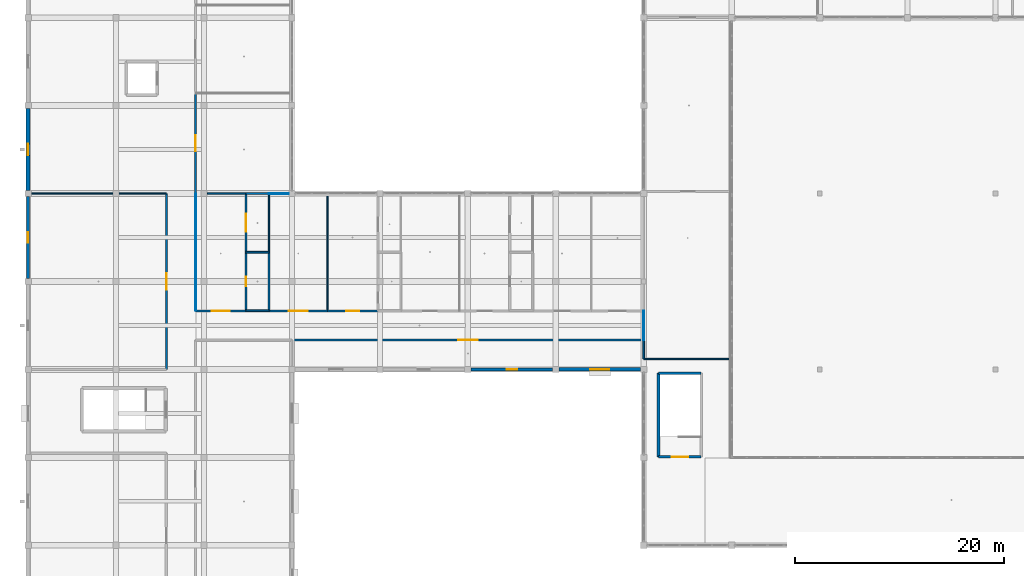
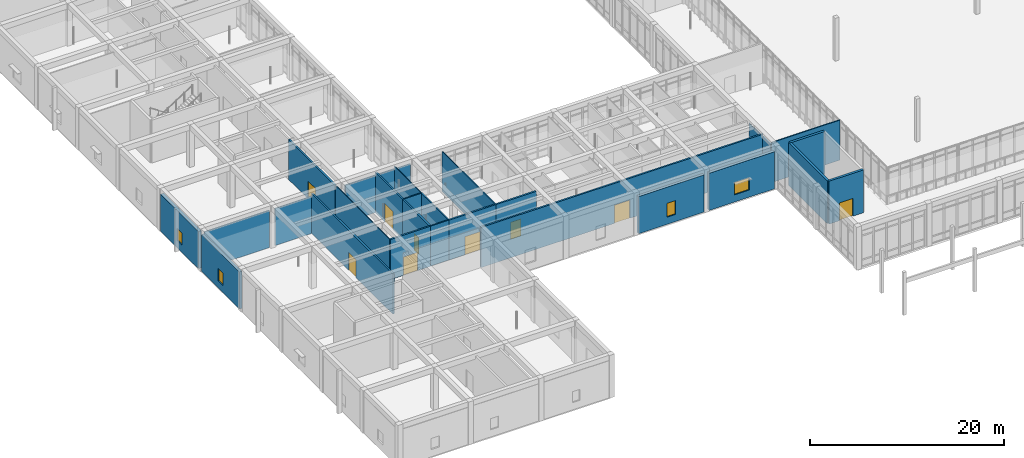
# One storey, part 76 of 157: 29 walls, 9 doors, 4 windows, 13 openings.
"""IFC4 building model written with IfcOpenShell, lengths in metres."""

from ifc_helpers import new_model, si_unit, direction, frame, frame_2d, origin, place, context, subcontext, project, spatial, rectangle, extrude, material, layer, layer_set, type_object, element, fill, save


model = new_model("IFC4")

# Units and contexts
model_context = context("Model", 3, precision=1e-05, world=origin(), true_north=direction((0.0, 1.0)))
body_context = subcontext(model_context, "Body", "Model", "MODEL_VIEW")
ifc_project = project(units=[si_unit("LENGTHUNIT", "METRE"), si_unit("AREAUNIT", "SQUARE_METRE"), si_unit("VOLUMEUNIT", "CUBIC_METRE"), si_unit("PLANEANGLEUNIT", "RADIAN"), si_unit("MASSUNIT", "GRAM", prefix="KILO")], contexts=[model_context])

# Site, building, storey
site_placement = place(None, origin())
site = spatial("IfcSite", under=ifc_project, at=site_placement, CompositionType="ELEMENT")
building_placement = place(site_placement, origin())
building = spatial("IfcBuilding", under=site, at=building_placement, Name="Varncliffe General Hospital", CompositionType="ELEMENT")
storey_placement = place(building_placement, frame((0.0, 0.0, 5.39990234375)))
storey = spatial("IfcBuildingStorey", under=building, at=storey_placement, Name="L01", CompositionType="ELEMENT", Elevation=5.39990234375)

# Wall, opening, window
ifc_material_1 = material(Name="Precast concrete C40/50 with insulated cream lime-cement stucco", Category="concrete")
ifc_layer_1 = layer(ifc_material_1, 0.31005859375)
ifc_layer_set_1 = layer_set([ifc_layer_1], Name="Precast concrete C40/50 with insulated cream lime-cement stucco")
wall_type_1 = type_object("IfcWallType", Name="Exterior Insulated Stucco Wall EW20 (310mm)", PredefinedType="SOLIDWALL", material=ifc_layer_set_1)
wall_1_placement = place(storey_placement, frame((50.10205078125, 24.0, 0.0), z_axis=(0.0, 0.0, 1.0), x_axis=(-1.0, 0.0, 0.0)))
wall_1 = element("IfcWall", 1, at=wall_1_placement, inside=storey, type_object=wall_type_1, Name="L01 Exterior Stucco Wall EW20-164", PredefinedType="SOLIDWALL", context=body_context, shape_type="SweptSolid", body=[
    extrude(rectangle(XDim=7.803955078125, YDim=0.31005859375, at=frame_2d((3.90185546875, 0.0))), origin(), (0.0, 0.0, 1.0), 4.68017578125),
])
opening_1_placement = place(wall_1_placement, frame((3.402099609375, 0.0, 0.89990234375)))
opening_1 = element("IfcOpeningElement", 2, at=opening_1_placement, cuts=wall_1, Name="Opening WN53", PredefinedType="OPENING", context=body_context, shape_type="SweptSolid", body=[
    extrude(rectangle(XDim=1.0, YDim=1.75, at=frame_2d((0.5, 0.875))), frame((0.0, 0.1650390625, 0.0), z_axis=(0.0, -1.0, 0.0), x_axis=(1.0, 0.0, 0.0)), (0.0, 0.0, 1.0), 0.330078125),
])
ifc_material_2 = material(Name="Triple low-E argon insulated vision glazing", Category="glass")
window_type_1 = type_object("IfcWindowType", Name="Triple-Glazed Hospital Window WN53 (1000x1750)", PartitioningType="SINGLE_PANEL", PredefinedType="WINDOW", material=ifc_material_2)
window_1_placement = place(opening_1_placement, origin())
window_1 = element("IfcWindow", 3, at=window_1_placement, inside=storey, type_object=window_type_1, Name="L01 Hospital Window WN53-103", OverallHeight=1.75, OverallWidth=1.0, PartitioningType="SINGLE_PANEL", PredefinedType="WINDOW", context=body_context, shape_type="SweptSolid", body=[
    extrude(rectangle(XDim=1.0, YDim=1.75, at=frame_2d((0.5, 0.875))), frame((0.0, 0.030029296875, 0.0), z_axis=(0.0, -1.0, 0.0), x_axis=(1.0, 0.0, 0.0)), (0.0, 0.0, 1.0), 0.06005859375),
])
fill(opening_1, window_1)

ifc_layer_2 = layer(ifc_material_1, 0.3798828125)
ifc_layer_set_2 = layer_set([ifc_layer_2], Name="Precast concrete C40/50 with insulated cream lime-cement stucco")
wall_type_2 = type_object("IfcWallType", Name="Exterior Insulated Stucco Wall EW26 (380mm)", PredefinedType="SOLIDWALL", material=ifc_layer_set_2)
wall_2_placement = place(storey_placement, frame((0.0, 41.097900390625, 0.0), z_axis=(0.0, 0.0, 1.0), x_axis=(0.0, 1.0, 0.0)))
wall_2 = element("IfcWall", 4, at=wall_2_placement, inside=storey, type_object=wall_type_2, Name="L01 Exterior Stucco Wall EW26-102", PredefinedType="SOLIDWALL", context=body_context, shape_type="SweptSolid", body=[
    extrude(rectangle(XDim=7.80419921875, YDim=0.3798828125, at=frame_2d((3.902099609375, 0.0))), origin(), (0.0, 0.0, 1.0), 4.68017578125),
])
opening_2_placement = place(wall_2_placement, frame((3.35205078125, 0.0, 0.89990234375)))
opening_2 = element("IfcOpeningElement", 5, at=opening_2_placement, cuts=wall_2, Name="Opening WN69", PredefinedType="OPENING", context=body_context, shape_type="SweptSolid", body=[
    extrude(rectangle(XDim=1.10009765625, YDim=1.550048828125, at=frame_2d((0.550048828125, 0.77490234375))), frame((0.0, 0.199951171875, 0.0), z_axis=(0.0, -1.0, 0.0), x_axis=(1.0, 0.0, 0.0)), (0.0, 0.0, 1.0), 0.39990234375),
])
window_type_2 = type_object("IfcWindowType", Name="Triple-Glazed Hospital Window WN69 (1100x1550)", PartitioningType="SINGLE_PANEL", PredefinedType="WINDOW", material=ifc_material_2)
window_2_placement = place(opening_2_placement, origin())
window_2 = element("IfcWindow", 6, at=window_2_placement, inside=storey, type_object=window_type_2, Name="L01 Hospital Window WN69-53", OverallHeight=1.550048828125, OverallWidth=1.10009765625, PartitioningType="SINGLE_PANEL", PredefinedType="WINDOW", context=body_context, shape_type="SweptSolid", body=[
    extrude(rectangle(XDim=1.10009765625, YDim=1.550048828125, at=frame_2d((0.550048828125, 0.77490234375))), frame((0.0, 0.030029296875, 0.0), z_axis=(0.0, -1.0, 0.0), x_axis=(1.0, 0.0, 0.0)), (0.0, 0.0, 1.0), 0.06005859375),
])
fill(opening_2, window_2)

ifc_layer_3 = layer(ifc_material_1, 0.2900390625)
ifc_layer_set_3 = layer_set([ifc_layer_3], Name="Precast concrete C40/50 with insulated cream lime-cement stucco")
wall_type_3 = type_object("IfcWallType", Name="Exterior Insulated Stucco Wall EW31 (290mm)", PredefinedType="SOLIDWALL", material=ifc_layer_set_3)
wall_3_placement = place(storey_placement, frame((0.0, 32.697998046875, 0.0), z_axis=(0.0, 0.0, 1.0), x_axis=(0.0, 1.0, 0.0)))
wall_3 = element("IfcWall", 7, at=wall_3_placement, inside=storey, type_object=wall_type_3, Name="L01 Exterior Stucco Wall EW31-101", PredefinedType="SOLIDWALL", context=body_context, shape_type="SweptSolid", body=[
    extrude(rectangle(XDim=7.803955078125, YDim=0.2900390625, at=frame_2d((3.90185546875, 0.0))), origin(), (0.0, 0.0, 1.0), 4.68017578125),
])
opening_3_placement = place(wall_3_placement, frame((3.402099609375, 0.0, 0.89990234375)))
opening_3 = element("IfcOpeningElement", 8, at=opening_3_placement, cuts=wall_3, Name="Opening WN21", PredefinedType="OPENING", context=body_context, shape_type="SweptSolid", body=[
    extrude(rectangle(XDim=1.0, YDim=1.550048828125, at=frame_2d((0.5, 0.77490234375))), frame((0.0, 0.155029296875, 0.0), z_axis=(0.0, -1.0, 0.0), x_axis=(1.0, 0.0, 0.0)), (0.0, 0.0, 1.0), 0.31005859375),
])
window_type_3 = type_object("IfcWindowType", Name="Triple-Glazed Hospital Window WN21 (1000x1550)", PartitioningType="SINGLE_PANEL", PredefinedType="WINDOW", material=ifc_material_2)
window_3_placement = place(opening_3_placement, origin())
window_3 = element("IfcWindow", 9, at=window_3_placement, inside=storey, type_object=window_type_3, Name="L01 Hospital Window WN21-52", OverallHeight=1.550048828125, OverallWidth=1.0, PartitioningType="SINGLE_PANEL", PredefinedType="WINDOW", context=body_context, shape_type="SweptSolid", body=[
    extrude(rectangle(XDim=1.0, YDim=1.550048828125, at=frame_2d((0.5, 0.77490234375))), frame((0.0, 0.030029296875, 0.0), z_axis=(0.0, -1.0, 0.0), x_axis=(1.0, 0.0, 0.0)), (0.0, 0.0, 1.0), 0.06005859375),
])
fill(opening_3, window_3)

ifc_layer_4 = layer(ifc_material_1, 0.330078125)
ifc_layer_set_4 = layer_set([ifc_layer_4], Name="Precast concrete C40/50 with insulated cream lime-cement stucco")
wall_type_4 = type_object("IfcWallType", Name="Exterior Insulated Stucco Wall EW33 (330mm)", PredefinedType="SOLIDWALL", material=ifc_layer_set_4)
wall_4_placement = place(storey_placement, frame((58.501953125, 24.0, 0.0), z_axis=(0.0, 0.0, 1.0), x_axis=(-1.0, 0.0, 0.0)))
wall_4 = element("IfcWall", 10, at=wall_4_placement, inside=storey, type_object=wall_type_4, Name="L01 Exterior Stucco Wall EW33-163", PredefinedType="SOLIDWALL", context=body_context, shape_type="SweptSolid", body=[
    extrude(rectangle(XDim=7.803955078125, YDim=0.330078125, at=frame_2d((3.90185546875, 0.0))), origin(), (0.0, 0.0, 1.0), 4.68017578125),
])
opening_4_placement = place(wall_4_placement, frame((3.001953125, 0.0, 0.89990234375)))
opening_4 = element("IfcOpeningElement", 11, at=opening_4_placement, cuts=wall_4, Name="Opening WN52", PredefinedType="OPENING", context=body_context, shape_type="SweptSolid", body=[
    extrude(rectangle(XDim=1.800048828125, YDim=1.550048828125, at=frame_2d((0.89990234375, 0.77490234375))), frame((0.0, 0.175048828125, 0.0), z_axis=(0.0, -1.0, 0.0), x_axis=(1.0, 0.0, 0.0)), (0.0, 0.0, 1.0), 0.35009765625),
])
window_type_4 = type_object("IfcWindowType", Name="Triple-Glazed Hospital Window WN52 (1800x1550)", PartitioningType="DOUBLE_PANEL_VERTICAL", PredefinedType="WINDOW", material=ifc_material_2)
window_4_placement = place(opening_4_placement, origin())
window_4 = element("IfcWindow", 12, at=window_4_placement, inside=storey, type_object=window_type_4, Name="L01 Hospital Window WN52-102", OverallHeight=1.550048828125, OverallWidth=1.800048828125, PartitioningType="DOUBLE_PANEL_VERTICAL", PredefinedType="WINDOW", context=body_context, shape_type="SweptSolid", body=[
    extrude(rectangle(XDim=1.800048828125, YDim=1.550048828125, at=frame_2d((0.89990234375, 0.77490234375))), frame((0.0, 0.030029296875, 0.0), z_axis=(0.0, -1.0, 0.0), x_axis=(1.0, 0.0, 0.0)), (0.0, 0.0, 1.0), 0.06005859375),
])
fill(opening_4, window_4)

# Walls
ifc_material_3 = material(Name="Acoustic clinical gypsum stud partition assembly", Category="gypsum")
ifc_layer_5 = layer(ifc_material_3, 0.1298828125)
ifc_layer_set_5 = layer_set([ifc_layer_5], Name="Acoustic clinical gypsum stud partition assembly")
wall_type_5 = type_object("IfcWallType", Name="Interior Partitioning IW11 (130mm)", PredefinedType="PARTITIONING", material=ifc_layer_set_5)
wall_5_placement = place(storey_placement, frame((58.800048828125, 25.0, 0.0), z_axis=(0.0, 0.0, 1.0), x_axis=(1.0, 0.0, 0.0)))
element("IfcWall", 13, at=wall_5_placement, inside=storey, type_object=wall_type_5, Name="L01 Interior Partition Wall IW11-433", PredefinedType="PARTITIONING", context=body_context, shape_type="SweptSolid", body=[
    extrude(rectangle(XDim=8.139892578125, YDim=0.1298828125, at=frame_2d((4.06982421875, 0.0))), origin(), (0.0, 0.0, 1.0), 5.050048828125),
])
ifc_layer_6 = layer(ifc_material_3, 0.169921875)
ifc_layer_set_6 = layer_set([ifc_layer_6], Name="Acoustic clinical gypsum stud partition assembly")
wall_type_6 = type_object("IfcWallType", Name="Interior Partitioning IW20 (170mm)", PredefinedType="PARTITIONING", material=ifc_layer_set_6)
wall_6_placement = place(storey_placement, frame((20.800048828125, 40.800048828125, 0.0), z_axis=(0.0, 0.0, 1.0), x_axis=(1.0, 0.0, 0.0)))
element("IfcWall", 14, at=wall_6_placement, inside=storey, type_object=wall_type_6, Name="L01 Interior Partition Wall IW20-465", PredefinedType="PARTITIONING", context=body_context, shape_type="SweptSolid", body=[
    extrude(rectangle(XDim=2.199951171875, YDim=0.169921875, at=frame_2d((1.10009765625, 0.0))), origin(), (0.0, 0.0, 1.0), 4.68505859375),
])
wall_7_placement = place(storey_placement, frame((58.800048828125, 25.0, 0.0), z_axis=(0.0, 0.0, 1.0), x_axis=(0.0, 1.0, 0.0)))
element("IfcWall", 15, at=wall_7_placement, inside=storey, type_object=wall_type_6, Name="L01 Interior Partition Wall IW20-745", PredefinedType="PARTITIONING", context=body_context, shape_type="SweptSolid", body=[
    extrude(rectangle(XDim=1.800048828125, YDim=0.169921875, at=frame_2d((0.89990234375, 0.0))), origin(), (0.0, 0.0, 1.0), 4.735107421875),
])
ifc_layer_7 = layer(ifc_material_3, 0.14990234375)
ifc_layer_set_7 = layer_set([ifc_layer_7], Name="Acoustic clinical gypsum stud partition assembly")
wall_type_7 = type_object("IfcWallType", Name="Interior Partitioning IW35 (150mm)", PredefinedType="PARTITIONING", material=ifc_layer_set_7)
wall_8_placement = place(storey_placement, frame((17.114990234375, 40.800048828125, 0.0), z_axis=(0.0, 0.0, 1.0), x_axis=(1.0, 0.0, 0.0)))
element("IfcWall", 16, at=wall_8_placement, inside=storey, type_object=wall_type_7, Name="L01 Interior Partition Wall IW35-464", PredefinedType="PARTITIONING", context=body_context, shape_type="SweptSolid", body=[
    extrude(rectangle(XDim=3.68505859375, YDim=0.14990234375, at=frame_2d((1.842529296875, 0.0))), origin(), (0.0, 0.0, 1.0), 4.68505859375),
])
ifc_layer_8 = layer(ifc_material_3, 0.090087890625)
ifc_layer_set_8 = layer_set([ifc_layer_8], Name="Acoustic clinical gypsum stud partition assembly")
wall_type_8 = type_object("IfcWallType", Name="Interior Partitioning IW42 (90mm)", PredefinedType="PARTITIONING", material=ifc_layer_set_8)
wall_9_placement = place(storey_placement, frame((23.0, 40.800048828125, 0.0), z_axis=(0.0, 0.0, 1.0), x_axis=(1.0, 0.0, 0.0)))
element("IfcWall", 17, at=wall_9_placement, inside=storey, type_object=wall_type_8, Name="L01 Interior Partition Wall IW42-466", PredefinedType="PARTITIONING", context=body_context, shape_type="SweptSolid", body=[
    extrude(rectangle(XDim=1.885009765625, YDim=0.090087890625, at=frame_2d((0.9423828125, 0.0))), origin(), (0.0, 0.0, 1.0), 4.68505859375),
])
wall_10_placement = place(storey_placement, frame((16.0, 29.60009765625, 0.0), z_axis=(0.0, 0.0, 1.0), x_axis=(0.0, 1.0, 0.0)))
element("IfcWall", 18, at=wall_10_placement, inside=storey, type_object=wall_type_8, Name="L01 Interior Partition Wall IW42-686", PredefinedType="PARTITIONING", context=body_context, shape_type="SweptSolid", body=[
    extrude(rectangle(XDim=11.199951171875, YDim=0.090087890625, at=frame_2d((5.60009765625, 0.0))), origin(), (0.0, 0.0, 1.0), 5.050048828125),
])
wall_11_placement = place(storey_placement, frame((58.800048828125, 26.800048828125, 0.0), z_axis=(0.0, 0.0, 1.0), x_axis=(0.0, 1.0, 0.0)))
element("IfcWall", 19, at=wall_11_placement, inside=storey, type_object=wall_type_8, Name="L01 Interior Partition Wall IW42-746", PredefinedType="PARTITIONING", context=body_context, shape_type="SweptSolid", body=[
    extrude(rectangle(XDim=2.800048828125, YDim=0.090087890625, at=frame_2d((1.39990234375, 0.0))), origin(), (0.0, 0.0, 1.0), 4.735107421875),
])
ifc_layer_9 = layer(ifc_material_3, 0.110107421875)
ifc_layer_set_9 = layer_set([ifc_layer_9], Name="Acoustic clinical gypsum stud partition assembly")
wall_type_9 = type_object("IfcWallType", Name="Interior Partitioning IW65 (110mm)", PredefinedType="PARTITIONING", material=ifc_layer_set_9)
wall_12_placement = place(storey_placement, frame((0.31494140625, 40.800048828125, 0.0), z_axis=(0.0, 0.0, 1.0), x_axis=(1.0, 0.0, 0.0)))
element("IfcWall", 20, at=wall_12_placement, inside=storey, type_object=wall_type_9, Name="L01 Interior Partition Wall IW65-462", PredefinedType="PARTITIONING", context=body_context, shape_type="SweptSolid", body=[
    extrude(rectangle(XDim=7.77001953125, YDim=0.110107421875, at=frame_2d((3.885009765625, 0.0))), origin(), (0.0, 0.0, 1.0), 4.68505859375),
])
wall_13_placement = place(storey_placement, frame((8.715087890625, 40.800048828125, 0.0), z_axis=(0.0, 0.0, 1.0), x_axis=(1.0, 0.0, 0.0)))
element("IfcWall", 21, at=wall_13_placement, inside=storey, type_object=wall_type_9, Name="L01 Interior Partition Wall IW65-463", PredefinedType="PARTITIONING", context=body_context, shape_type="SweptSolid", body=[
    extrude(rectangle(XDim=4.48486328125, YDim=0.110107421875, at=frame_2d((2.242431640625, 0.0))), origin(), (0.0, 0.0, 1.0), 4.68505859375),
])
wall_14_placement = place(storey_placement, frame((23.0, 35.199951171875, 0.0), z_axis=(0.0, 0.0, 1.0), x_axis=(0.0, 1.0, 0.0)))
element("IfcWall", 22, at=wall_14_placement, inside=storey, type_object=wall_type_9, Name="L01 Interior Partition Wall IW65-702", PredefinedType="PARTITIONING", context=body_context, shape_type="SweptSolid", body=[
    extrude(rectangle(XDim=5.60009765625, YDim=0.110107421875, at=frame_2d((2.800048828125, 0.0))), origin(), (0.0, 0.0, 1.0), 5.050048828125),
])
wall_15_placement = place(storey_placement, frame((28.60009765625, 29.60009765625, 0.0), z_axis=(0.0, 0.0, 1.0), x_axis=(0.0, 1.0, 0.0)))
element("IfcWall", 23, at=wall_15_placement, inside=storey, type_object=wall_type_9, Name="L01 Interior Partition Wall IW65-707", PredefinedType="PARTITIONING", context=body_context, shape_type="SweptSolid", body=[
    extrude(rectangle(XDim=10.93994140625, YDim=0.110107421875, at=frame_2d((5.469970703125, 0.0))), origin(), (0.0, 0.0, 1.0), 5.050048828125),
])

# Wall, opening, door
ifc_material_4 = material(Name="Fire-rated gypsum and mineral-wool partition assembly", Category="gypsum")
ifc_layer_10 = layer(ifc_material_4, 0.199951171875)
ifc_layer_set_10 = layer_set([ifc_layer_10], Name="Fire-rated gypsum and mineral-wool partition assembly")
wall_type_10 = type_object("IfcWallType", Name="Interior Partitioning PW63 (200mm)", PredefinedType="PARTITIONING", material=ifc_layer_set_10)
wall_16_placement = place(storey_placement, frame((25.199951171875, 26.800048828125, 0.0), z_axis=(0.0, 0.0, 1.0), x_axis=(1.0, 0.0, 0.0)))
wall_16 = element("IfcWall", 24, at=wall_16_placement, inside=storey, type_object=wall_type_10, Name="L01 Interior Partition Wall PW63-436", PredefinedType="PARTITIONING", context=body_context, shape_type="SweptSolid", body=[
    extrude(rectangle(XDim=33.60009765625, YDim=0.199951171875, at=frame_2d((16.800048828125, 0.0))), origin(), (0.0, 0.0, 1.0), 5.050048828125),
])
opening_5_placement = place(wall_16_placement, frame((15.875, 0.0, 0.0)))
opening_5 = element("IfcOpeningElement", 25, at=opening_5_placement, cuts=wall_16, Name="Opening DC38", PredefinedType="OPENING", context=body_context, shape_type="SweptSolid", body=[
    extrude(rectangle(XDim=1.85009765625, YDim=2.300048828125, at=frame_2d((0.925048828125, 1.14990234375))), frame((0.0, 0.10986328125, 0.0), z_axis=(0.0, -1.0, 0.0), x_axis=(1.0, 0.0, 0.0)), (0.0, 0.0, 1.0), 0.219970703125),
])
ifc_material_5 = material(Name="Fire-rated hospital steel-frame vision-panel door", Category="steel")
door_type_1 = type_object("IfcDoorType", Name="Interior Hospital Door DC38 (1850x2300)", OperationType="NOTDEFINED", PredefinedType="DOOR", material=ifc_material_5)
door_1_placement = place(opening_5_placement, frame((1.85009765625, 0.0, 0.0), z_axis=(0.0, 0.0, 1.0), x_axis=(-1.0, 0.0, 0.0)))
door_1 = element("IfcDoor", 26, at=door_1_placement, inside=storey, type_object=door_type_1, Name="L01 Observation Waiting and Family Suite Door", OperationType="SINGLE_SWING_RIGHT", OverallHeight=2.300048828125, OverallWidth=1.85009765625, PredefinedType="DOOR", context=body_context, shape_type="SweptSolid", body=[
    extrude(rectangle(XDim=1.85009765625, YDim=2.300048828125, at=frame_2d((0.925048828125, 1.14990234375))), frame((0.0, 0.02490234375, 0.0), z_axis=(0.0, -1.0, 0.0), x_axis=(1.0, 0.0, 0.0)), (0.0, 0.0, 1.0), 0.050048828125),
])
fill(opening_5, door_1)

wall_17_placement = place(storey_placement, frame((16.0, 29.60009765625, 0.0), z_axis=(0.0, 0.0, 1.0), x_axis=(1.0, 0.0, 0.0)))
wall_17 = element("IfcWall", 27, at=wall_17_placement, inside=storey, type_object=wall_type_10, Name="L01 Interior Partition Wall PW63-442", PredefinedType="PARTITIONING", context=body_context, shape_type="SweptSolid", body=[
    extrude(rectangle(XDim=4.800048828125, YDim=0.199951171875, at=frame_2d((2.39990234375, 0.0))), origin(), (0.0, 0.0, 1.0), 5.050048828125),
])
opening_6_placement = place(wall_17_placement, frame((1.550048828125, 0.0, 0.0)))
opening_6 = element("IfcOpeningElement", 28, at=opening_6_placement, cuts=wall_17, Name="Opening DC50", PredefinedType="OPENING", context=body_context, shape_type="SweptSolid", body=[
    extrude(rectangle(XDim=1.699951171875, YDim=2.300048828125, at=frame_2d((0.85009765625, 1.14990234375))), frame((0.0, 0.10986328125, 0.0), z_axis=(0.0, -1.0, 0.0), x_axis=(1.0, 0.0, 0.0)), (0.0, 0.0, 1.0), 0.219970703125),
])
door_type_2 = type_object("IfcDoorType", Name="Interior Hospital Door DC50 (1700x2300)", OperationType="NOTDEFINED", PredefinedType="DOOR", material=ifc_material_5)
door_2_placement = place(opening_6_placement, origin())
door_2 = element("IfcDoor", 29, at=door_2_placement, inside=storey, type_object=door_type_2, Name="L01 Rapid Clinical Observation Room 45 Door", OperationType="SINGLE_SWING_RIGHT", OverallHeight=2.300048828125, OverallWidth=1.699951171875, PredefinedType="DOOR", context=body_context, shape_type="SweptSolid", body=[
    extrude(rectangle(XDim=1.699951171875, YDim=2.300048828125, at=frame_2d((0.85009765625, 1.14990234375))), frame((0.0, 0.02490234375, 0.0), z_axis=(0.0, -1.0, 0.0), x_axis=(1.0, 0.0, 0.0)), (0.0, 0.0, 1.0), 0.050048828125),
])
fill(opening_6, door_2)

wall_18_placement = place(storey_placement, frame((23.0, 29.60009765625, 0.0), z_axis=(0.0, 0.0, 1.0), x_axis=(1.0, 0.0, 0.0)))
wall_18 = element("IfcWall", 30, at=wall_18_placement, inside=storey, type_object=wall_type_10, Name="L01 Interior Partition Wall PW63-444", PredefinedType="PARTITIONING", context=body_context, shape_type="SweptSolid", body=[
    extrude(rectangle(XDim=5.60009765625, YDim=0.199951171875, at=frame_2d((2.800048828125, 0.0))), origin(), (0.0, 0.0, 1.0), 5.050048828125),
])
opening_7_placement = place(wall_18_placement, frame((1.875, 0.0, 0.0)))
opening_7 = element("IfcOpeningElement", 31, at=opening_7_placement, cuts=wall_18, Name="Opening DC38", PredefinedType="OPENING", context=body_context, shape_type="SweptSolid", body=[
    extrude(rectangle(XDim=1.85009765625, YDim=2.300048828125, at=frame_2d((0.925048828125, 1.14990234375))), frame((0.0, 0.10986328125, 0.0), z_axis=(0.0, -1.0, 0.0), x_axis=(1.0, 0.0, 0.0)), (0.0, 0.0, 1.0), 0.219970703125),
])
door_3_placement = place(opening_7_placement, origin())
door_3 = element("IfcDoor", 32, at=door_3_placement, inside=storey, type_object=door_type_1, Name="L01 Emergency Short-Stay Treatment Bay 48 Door", OperationType="SINGLE_SWING_LEFT", OverallHeight=2.300048828125, OverallWidth=1.85009765625, PredefinedType="DOOR", context=body_context, shape_type="SweptSolid", body=[
    extrude(rectangle(XDim=1.85009765625, YDim=2.300048828125, at=frame_2d((0.925048828125, 1.14990234375))), frame((0.0, 0.02490234375, 0.0), z_axis=(0.0, -1.0, 0.0), x_axis=(1.0, 0.0, 0.0)), (0.0, 0.0, 1.0), 0.050048828125),
])
fill(opening_7, door_3)

wall_19_placement = place(storey_placement, frame((28.60009765625, 29.60009765625, 0.0), z_axis=(0.0, 0.0, 1.0), x_axis=(1.0, 0.0, 0.0)))
wall_19 = element("IfcWall", 33, at=wall_19_placement, inside=storey, type_object=wall_type_10, Name="L01 Interior Partition Wall PW63-445", PredefinedType="PARTITIONING", context=body_context, shape_type="SweptSolid", body=[
    extrude(rectangle(XDim=4.7998046875, YDim=0.199951171875, at=frame_2d((2.39990234375, 0.0))), origin(), (0.0, 0.0, 1.0), 5.050048828125),
])
opening_8_placement = place(wall_19_placement, frame((1.77490234375, 0.0, 0.0)))
opening_8 = element("IfcOpeningElement", 34, at=opening_8_placement, cuts=wall_19, Name="Opening DC44", PredefinedType="OPENING", context=body_context, shape_type="SweptSolid", body=[
    extrude(rectangle(XDim=1.25, YDim=2.14990234375, at=frame_2d((0.625, 1.074951171875))), frame((0.0, 0.10986328125, 0.0), z_axis=(0.0, -1.0, 0.0), x_axis=(1.0, 0.0, 0.0)), (0.0, 0.0, 1.0), 0.219970703125),
])
door_type_3 = type_object("IfcDoorType", Name="Interior Hospital Door DC44 (1250x2150)", OperationType="NOTDEFINED", PredefinedType="DOOR", material=ifc_material_5)
door_4_placement = place(opening_8_placement, origin())
door_4 = element("IfcDoor", 35, at=door_4_placement, inside=storey, type_object=door_type_3, Name="L01 Rapid Clinical Observation Room 49 Door", OperationType="SINGLE_SWING_RIGHT", OverallHeight=2.14990234375, OverallWidth=1.25, PredefinedType="DOOR", context=body_context, shape_type="SweptSolid", body=[
    extrude(rectangle(XDim=1.25, YDim=2.14990234375, at=frame_2d((0.625, 1.074951171875))), frame((0.0, 0.02490234375, 0.0), z_axis=(0.0, -1.0, 0.0), x_axis=(1.0, 0.0, 0.0)), (0.0, 0.0, 1.0), 0.050048828125),
])
fill(opening_8, door_4)

wall_20_placement = place(storey_placement, frame((13.199951171875, 24.0, 0.0), z_axis=(0.0, 0.0, 1.0), x_axis=(0.0, 1.0, 0.0)))
wall_20 = element("IfcWall", 36, at=wall_20_placement, inside=storey, type_object=wall_type_10, Name="L01 Interior Partition Wall PW63-679", PredefinedType="PARTITIONING", context=body_context, shape_type="SweptSolid", body=[
    extrude(rectangle(XDim=16.800048828125, YDim=0.199951171875, at=frame_2d((8.39990234375, 0.0))), origin(), (0.0, 0.0, 1.0), 5.050048828125),
])
opening_9_placement = place(wall_20_placement, frame((7.625, 0.0, 0.0)))
opening_9 = element("IfcOpeningElement", 37, at=opening_9_placement, cuts=wall_20, Name="Opening DC67", PredefinedType="OPENING", context=body_context, shape_type="SweptSolid", body=[
    extrude(rectangle(XDim=1.550048828125, YDim=2.25, at=frame_2d((0.77490234375, 1.125))), frame((0.0, 0.10986328125, 0.0), z_axis=(0.0, -1.0, 0.0), x_axis=(1.0, 0.0, 0.0)), (0.0, 0.0, 1.0), 0.219970703125),
])
door_type_4 = type_object("IfcDoorType", Name="Interior Hospital Door DC67 (1550x2250)", OperationType="NOTDEFINED", PredefinedType="DOOR", material=ifc_material_5)
door_5_placement = place(opening_9_placement, origin())
door_5 = element("IfcDoor", 38, at=door_5_placement, inside=storey, type_object=door_type_4, Name="L01 Observation Nurse Station and Clean Utility Door", OperationType="SINGLE_SWING_LEFT", OverallHeight=2.25, OverallWidth=1.550048828125, PredefinedType="DOOR", context=body_context, shape_type="SweptSolid", body=[
    extrude(rectangle(XDim=1.550048828125, YDim=2.25, at=frame_2d((0.77490234375, 1.125))), frame((0.0, 0.02490234375, 0.0), z_axis=(0.0, -1.0, 0.0), x_axis=(1.0, 0.0, 0.0)), (0.0, 0.0, 1.0), 0.050048828125),
])
fill(opening_9, door_5)

wall_21_placement = place(storey_placement, frame((16.0, 40.800048828125, 0.0), z_axis=(0.0, 0.0, 1.0), x_axis=(0.0, 1.0, 0.0)))
wall_21 = element("IfcWall", 39, at=wall_21_placement, inside=storey, type_object=wall_type_10, Name="L01 Interior Partition Wall PW63-687", PredefinedType="PARTITIONING", context=body_context, shape_type="SweptSolid", body=[
    extrude(rectangle(XDim=9.599853515625, YDim=0.199951171875, at=frame_2d((4.7998046875, 0.0))), origin(), (0.0, 0.0, 1.0), 5.050048828125),
])
opening_10_placement = place(wall_21_placement, frame((4.02490234375, 0.0, 0.0)))
opening_10 = element("IfcOpeningElement", 40, at=opening_10_placement, cuts=wall_21, Name="Opening DC67", PredefinedType="OPENING", context=body_context, shape_type="SweptSolid", body=[
    extrude(rectangle(XDim=1.550048828125, YDim=2.25, at=frame_2d((0.77490234375, 1.125))), frame((0.0, 0.10986328125, 0.0), z_axis=(0.0, -1.0, 0.0), x_axis=(1.0, 0.0, 0.0)), (0.0, 0.0, 1.0), 0.219970703125),
])
door_6_placement = place(opening_10_placement, frame((1.550048828125, 0.0, 0.0), z_axis=(0.0, 0.0, 1.0), x_axis=(-1.0, 0.0, 0.0)))
door_6 = element("IfcDoor", 41, at=door_6_placement, inside=storey, type_object=door_type_4, Name="L01 Clinical Pathology Laboratory 64 Door", OperationType="SINGLE_SWING_RIGHT", OverallHeight=2.25, OverallWidth=1.550048828125, PredefinedType="DOOR", context=body_context, shape_type="SweptSolid", body=[
    extrude(rectangle(XDim=1.550048828125, YDim=2.25, at=frame_2d((0.77490234375, 1.125))), frame((0.0, 0.02490234375, 0.0), z_axis=(0.0, -1.0, 0.0), x_axis=(1.0, 0.0, 0.0)), (0.0, 0.0, 1.0), 0.050048828125),
])
fill(opening_10, door_6)

wall_22_placement = place(storey_placement, frame((20.800048828125, 29.60009765625, 0.0), z_axis=(0.0, 0.0, 1.0), x_axis=(0.0, 1.0, 0.0)))
wall_22 = element("IfcWall", 42, at=wall_22_placement, inside=storey, type_object=wall_type_10, Name="L01 Interior Partition Wall PW63-697", PredefinedType="PARTITIONING", context=body_context, shape_type="SweptSolid", body=[
    extrude(rectangle(XDim=5.599853515625, YDim=0.199951171875, at=frame_2d((2.7998046875, 0.0))), origin(), (0.0, 0.0, 1.0), 5.050048828125),
])
opening_11_placement = place(wall_22_placement, frame((2.340087890625, 0.0, 0.0)))
opening_11 = element("IfcOpeningElement", 43, at=opening_11_placement, cuts=wall_22, Name="Opening DI70", PredefinedType="OPENING", context=body_context, shape_type="SweptSolid", body=[
    extrude(rectangle(XDim=0.919921875, YDim=2.10009765625, at=frame_2d((0.4599609375, 1.050048828125))), frame((0.0, 0.10986328125, 0.0), z_axis=(0.0, -1.0, 0.0), x_axis=(1.0, 0.0, 0.0)), (0.0, 0.0, 1.0), 0.219970703125),
])
ifc_material_6 = material(Name="Solid-core antimicrobial hospital oak veneer door", Category="wood")
door_type_5 = type_object("IfcDoorType", Name="Interior Hospital Door DI70 (920x2100)", OperationType="NOTDEFINED", PredefinedType="DOOR", material=ifc_material_6)
door_7_placement = place(opening_11_placement, frame((0.919921875, 0.0, 0.0), z_axis=(0.0, 0.0, 1.0), x_axis=(-1.0, 0.0, 0.0)))
door_7 = element("IfcDoor", 44, at=door_7_placement, inside=storey, type_object=door_type_5, Name="L01 En-Suite Bathroom 46 Door", OperationType="SINGLE_SWING_LEFT", OverallHeight=2.10009765625, OverallWidth=0.919921875, PredefinedType="DOOR", context=body_context, shape_type="SweptSolid", body=[
    extrude(rectangle(XDim=0.919921875, YDim=2.10009765625, at=frame_2d((0.4599609375, 1.050048828125))), frame((0.0, 0.02490234375, 0.0), z_axis=(0.0, -1.0, 0.0), x_axis=(1.0, 0.0, 0.0)), (0.0, 0.0, 1.0), 0.050048828125),
])
fill(opening_11, door_7)

wall_23_placement = place(storey_placement, frame((20.800048828125, 35.199951171875, 0.0), z_axis=(0.0, 0.0, 1.0), x_axis=(0.0, 1.0, 0.0)))
wall_23 = element("IfcWall", 45, at=wall_23_placement, inside=storey, type_object=wall_type_10, Name="L01 Interior Partition Wall PW63-698", PredefinedType="PARTITIONING", context=body_context, shape_type="SweptSolid", body=[
    extrude(rectangle(XDim=5.60009765625, YDim=0.199951171875, at=frame_2d((2.800048828125, 0.0))), origin(), (0.0, 0.0, 1.0), 5.050048828125),
])
opening_12_placement = place(wall_23_placement, frame((1.949951171875, 0.0, 0.0)))
opening_12 = element("IfcOpeningElement", 46, at=opening_12_placement, cuts=wall_23, Name="Opening DC50", PredefinedType="OPENING", context=body_context, shape_type="SweptSolid", body=[
    extrude(rectangle(XDim=1.699951171875, YDim=2.300048828125, at=frame_2d((0.85009765625, 1.14990234375))), frame((0.0, 0.10986328125, 0.0), z_axis=(0.0, -1.0, 0.0), x_axis=(1.0, 0.0, 0.0)), (0.0, 0.0, 1.0), 0.219970703125),
])
door_8_placement = place(opening_12_placement, frame((1.699951171875, 0.0, 0.0), z_axis=(0.0, 0.0, 1.0), x_axis=(-1.0, 0.0, 0.0)))
door_8 = element("IfcDoor", 47, at=door_8_placement, inside=storey, type_object=door_type_2, Name="L01 Patient Medication and Hygiene Bay 47 Door", OperationType="SINGLE_SWING_RIGHT", OverallHeight=2.300048828125, OverallWidth=1.699951171875, PredefinedType="DOOR", context=body_context, shape_type="SweptSolid", body=[
    extrude(rectangle(XDim=1.699951171875, YDim=2.300048828125, at=frame_2d((0.85009765625, 1.14990234375))), frame((0.0, 0.02490234375, 0.0), z_axis=(0.0, -1.0, 0.0), x_axis=(1.0, 0.0, 0.0)), (0.0, 0.0, 1.0), 0.050048828125),
])
fill(opening_12, door_8)

# Walls
ifc_material_7 = material(Name="Moisture-resistant plumbing chase wall assembly", Category="gypsum")
ifc_layer_11 = layer(ifc_material_7, 0.159912109375)
ifc_layer_set_11 = layer_set([ifc_layer_11], Name="Moisture-resistant plumbing chase wall assembly")
wall_type_11 = type_object("IfcWallType", Name="Interior Plumbingwall MW31 (160mm)", PredefinedType="PLUMBINGWALL", material=ifc_layer_set_11)
for number, where, z_axis, x_axis, name in (
    (48, (20.800048828125, 29.60009765625, 0.0), (0.0, 0.0, 1.0), (1.0, 0.0, 0.0), "L01 Interior Plumbing Wall MW31-443"),
    (49, (20.800048828125, 35.199951171875, 0.0), (0.0, 0.0, 1.0), (1.0, 0.0, 0.0), "L01 Interior Plumbing Wall MW31-457"),
):
    element("IfcWall", number, at=place(storey_placement, frame(where, z_axis=z_axis, x_axis=x_axis)), inside=storey, type_object=wall_type_11, Name=name, PredefinedType="PLUMBINGWALL", context=body_context, shape_type="SweptSolid", body=[
        extrude(rectangle(XDim=2.199951171875, YDim=0.159912109375, at=frame_2d((1.10009765625, 0.0))), origin(), (0.0, 0.0, 1.0), 5.050048828125),
    ])
wall_24_placement = place(storey_placement, frame((23.0, 29.60009765625, 0.0), z_axis=(0.0, 0.0, 1.0), x_axis=(0.0, 1.0, 0.0)))
element("IfcWall", 50, at=wall_24_placement, inside=storey, type_object=wall_type_11, Name="L01 Interior Plumbing Wall MW31-701", PredefinedType="PLUMBINGWALL", context=body_context, shape_type="SweptSolid", body=[
    extrude(rectangle(XDim=5.599853515625, YDim=0.159912109375, at=frame_2d((2.7998046875, 0.0))), origin(), (0.0, 0.0, 1.0), 5.050048828125),
])
ifc_material_8 = material(Name="Concrete C40/50 (CSA A23.1 40 MPa)", Category="concrete")
ifc_layer_12 = layer(ifc_material_8, 0.280029296875)
ifc_layer_set_12 = layer_set([ifc_layer_12], Name="Concrete C40/50 (CSA A23.1 40 MPa)")
wall_type_12 = type_object("IfcWallType", Name="Reinforced Concrete Core Shear Wall CW13 (280mm)", PredefinedType="SHEAR", material=ifc_layer_set_12)
wall_25_placement = place(storey_placement, frame((64.2900390625, 23.639892578125, 0.0), z_axis=(0.0, 0.0, 1.0), x_axis=(-1.0, 0.0, 0.0)))
element("IfcWall", 51, at=wall_25_placement, inside=storey, type_object=wall_type_12, Name="L01 ST09 Core Shear Wall F", PredefinedType="SHEAR", context=body_context, shape_type="SweptSolid", body=[
    extrude(rectangle(XDim=4.080078125, YDim=0.280029296875, at=frame_2d((2.0400390625, 0.0))), origin(), (0.0, 0.0, 1.0), 5.400146484375),
])
wall_26_placement = place(storey_placement, frame((60.2099609375, 23.639892578125, 0.0), z_axis=(0.0, 0.0, 1.0), x_axis=(0.0, -1.0, 0.0)))
element("IfcWall", 52, at=wall_26_placement, inside=storey, type_object=wall_type_12, Name="L01 ST09 Core Shear Wall R", PredefinedType="SHEAR", context=body_context, shape_type="SweptSolid", body=[
    extrude(rectangle(XDim=7.97998046875, YDim=0.280029296875, at=frame_2d((3.989990234375, 0.0))), origin(), (0.0, 0.0, 1.0), 5.400146484375),
])

# Wall, opening, door
wall_27_placement = place(storey_placement, frame((60.2099609375, 15.659912109375, 0.0), z_axis=(0.0, 0.0, 1.0), x_axis=(1.0, 0.0, 0.0)))
wall_27 = element("IfcWall", 53, at=wall_27_placement, inside=storey, type_object=wall_type_12, Name="L01 ST09 Core Shear Wall N", PredefinedType="SHEAR", context=body_context, shape_type="SweptSolid", body=[
    extrude(rectangle(XDim=4.080078125, YDim=0.280029296875, at=frame_2d((2.0400390625, 0.0))), origin(), (0.0, 0.0, 1.0), 5.400146484375),
])
opening_13_placement = place(wall_27_placement, frame((1.239990234375, 0.0, 0.0)))
opening_13 = element("IfcOpeningElement", 54, at=opening_13_placement, cuts=wall_27, Name="Opening DF27", PredefinedType="OPENING", context=body_context, shape_type="SweptSolid", body=[
    extrude(rectangle(XDim=1.60009765625, YDim=2.25, at=frame_2d((0.800048828125, 1.125))), frame((0.0, 0.14990234375, 0.0), z_axis=(0.0, -1.0, 0.0), x_axis=(1.0, 0.0, 0.0)), (0.0, 0.0, 1.0), 0.300048828125),
])
door_type_6 = type_object("IfcDoorType", Name="Interior Hospital Door DF27 (1600x2250)", OperationType="NOTDEFINED", PredefinedType="DOOR", material=ifc_material_5)
door_9_placement = place(opening_13_placement, frame((1.60009765625, 0.0, 0.0), z_axis=(0.0, 0.0, 1.0), x_axis=(-1.0, 0.0, 0.0)))
door_9 = element("IfcDoor", 55, at=door_9_placement, inside=storey, type_object=door_type_6, Name="L01 ST09 Protected Exit Stair Door", OperationType="SINGLE_SWING_LEFT", OverallHeight=2.25, OverallWidth=1.60009765625, PredefinedType="DOOR", context=body_context, shape_type="SweptSolid", body=[
    extrude(rectangle(XDim=1.60009765625, YDim=2.25, at=frame_2d((0.800048828125, 1.125))), frame((0.0, 0.02490234375, 0.0), z_axis=(0.0, -1.0, 0.0), x_axis=(1.0, 0.0, 0.0)), (0.0, 0.0, 1.0), 0.050048828125),
])
fill(opening_13, door_9)

save(model, "model.ifc")
